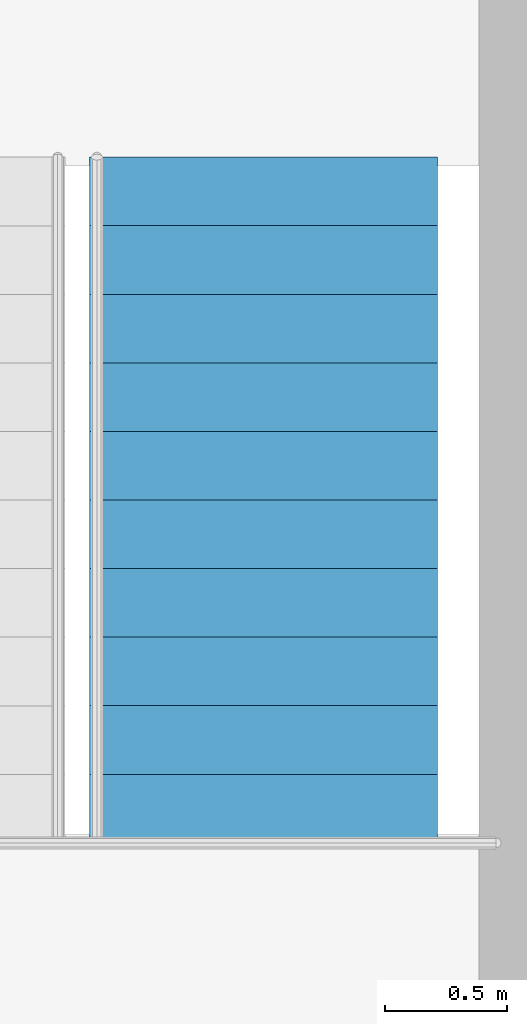
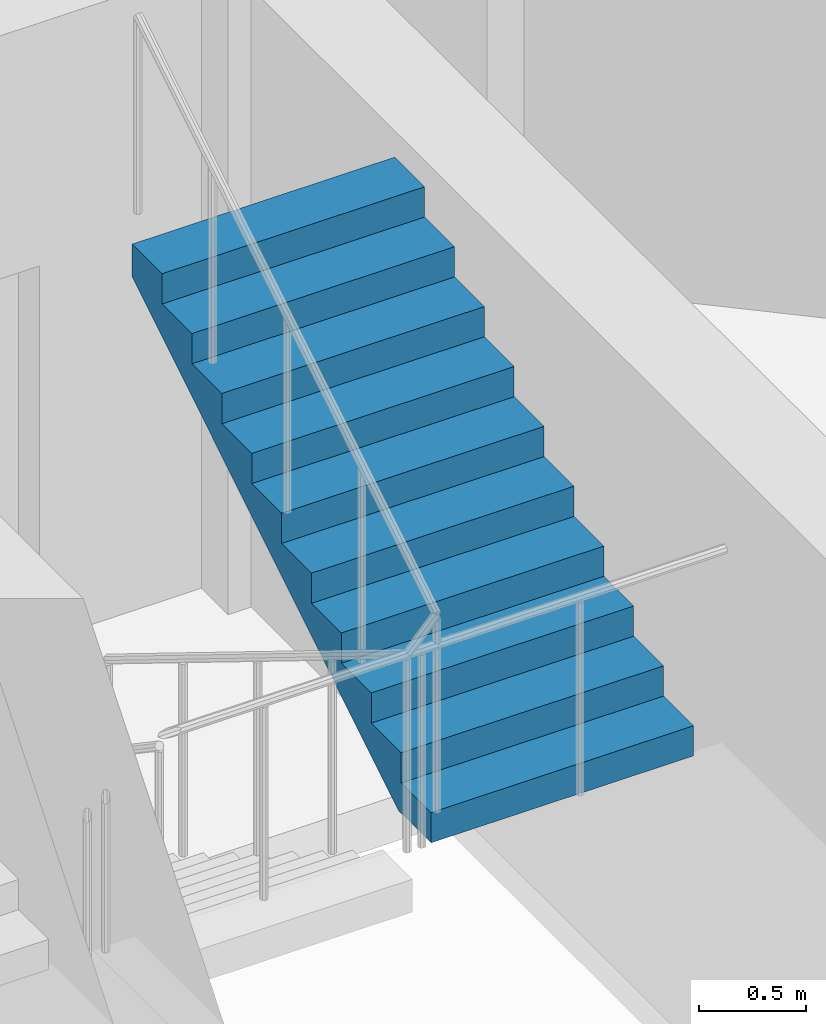
# One storey, part 23 of 24: 1 stair flight, 1 element without a shape of its own.
"""IFC4 building model written with IfcOpenShell, lengths in metres."""

from ifc_helpers import new_model, si_unit, direction, frame, origin, place, context, subcontext, project, spatial, polyline, outline, extrude, material, type_object, element, aggregate, save


model = new_model("IFC4")

# Units and contexts
model_context = context("Model", 3, precision=1e-05, world=origin(), true_north=direction((0.0, 1.0)))
body_context = subcontext(model_context, "Body", "Model", "MODEL_VIEW")
ifc_project = project(units=[si_unit("LENGTHUNIT", "METRE"), si_unit("AREAUNIT", "SQUARE_METRE"), si_unit("VOLUMEUNIT", "CUBIC_METRE"), si_unit("PLANEANGLEUNIT", "RADIAN"), si_unit("MASSUNIT", "GRAM", prefix="KILO")], contexts=[model_context])

# Site, building, storey
site_placement = place(None, origin())
site = spatial("IfcSite", under=ifc_project, at=site_placement, CompositionType="ELEMENT")
building_placement = place(site_placement, origin())
building = spatial("IfcBuilding", under=site, at=building_placement, Name="Nuhasar Tower", CompositionType="ELEMENT")
storey_placement = place(building_placement, frame((0.0, 0.0, 286.0)))
storey = spatial("IfcBuildingStorey", under=building, at=storey_placement, Name="L71", CompositionType="ELEMENT", Elevation=286.0)

# Stair, stair flight
ifc_material = material(Name="Concrete C45/55", Category="concrete")
stair_type = type_object("IfcStairType", Name="STR-ST-02-2F-22R-1727", PredefinedType="HALF_TURN_STAIR", material=ifc_material)
stair_placement = place(storey_placement, origin())
stair = element("IfcStair", 1, at=stair_placement, inside=storey, type_object=stair_type, Name="L71 Exit Stair ST-02", PredefinedType="HALF_TURN_STAIR")
stair_flight_type = type_object("IfcStairFlightType", Name="SFL-ST-02-11R-1727", PredefinedType="STRAIGHT", material=ifc_material)
stair_flight_placement = place(storey_placement, frame((43.169921875, 32.485107421875, 1.89990234375), z_axis=(0.0, 0.0, 1.0), x_axis=(0.0, 1.0, 0.0)))
stair_flight = element("IfcStairFlight", 2, at=stair_flight_placement, type_object=stair_flight_type, Name="ST-02 flight 2", NumberOfRisers=11, NumberOfTreads=10, PredefinedType="STRAIGHT", RiserHeight=0.172727, TreadLength=0.28, context=body_context, shape_type="SweptSolid", body=[
    extrude(outline(polyline([(0.0, 0.0), (0.0, 0.172607421875), (0.280029296875, 0.172607421875), (0.280029296875, 0.345458984375), (0.56005859375, 0.345458984375), (0.56005859375, 0.51806640625), (0.840087890625, 0.51806640625), (0.840087890625, 0.69091796875), (1.1201171875, 0.69091796875), (1.1201171875, 0.863525390625), (1.39990234375, 0.863525390625), (1.39990234375, 1.036376953125), (1.679931640625, 1.036376953125), (1.679931640625, 1.208984375), (1.9599609375, 1.208984375), (1.9599609375, 1.3818359375), (2.239990234375, 1.3818359375), (2.239990234375, 1.554443359375), (2.52001953125, 1.554443359375), (2.52001953125, 1.727294921875), (2.800048828125, 1.727294921875), (2.800048828125, 1.89990234375), (2.800048828125, 1.539306640625), (0.3046875, 0.0), (0.0, 0.0)])), frame((0.0, 0.7099609375, 0.0), z_axis=(0.0, -1.0, 0.0), x_axis=(1.0, 0.0, 0.0)), (0.0, 0.0, 1.0), 1.419921875),
])
aggregate(stair, [stair_flight])

save(model, "model.ifc")
